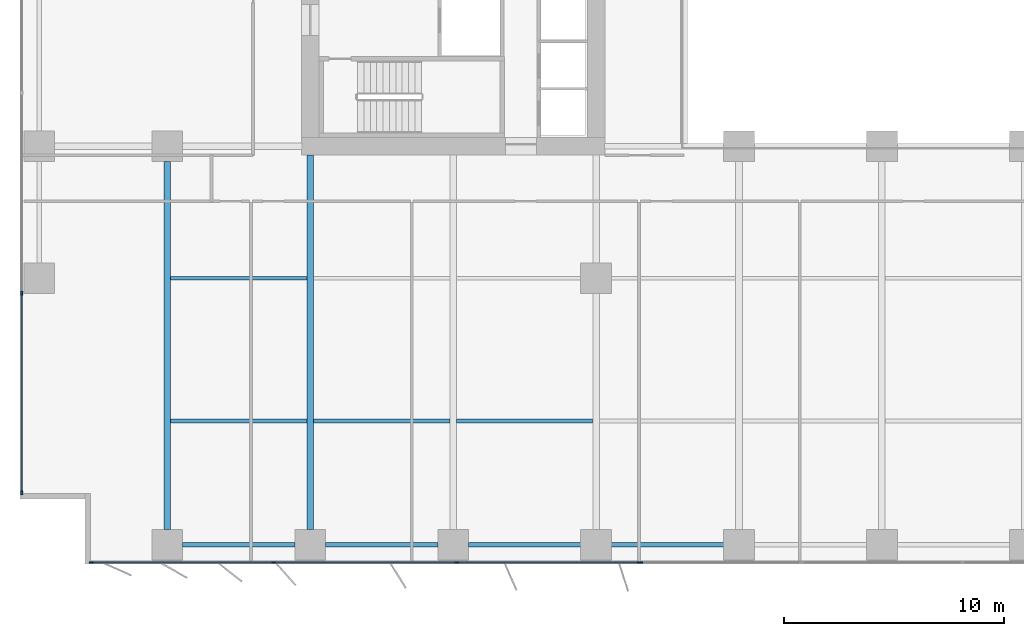
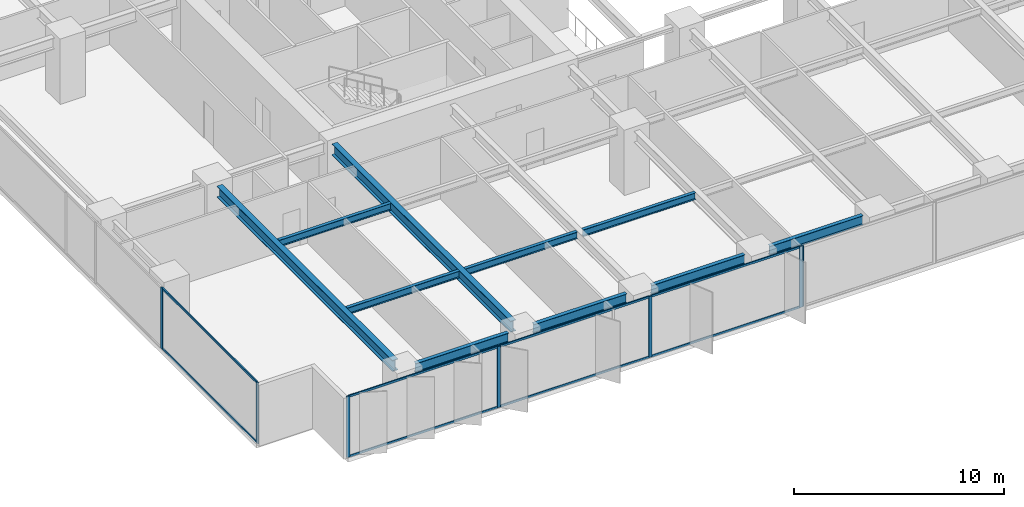
# One storey, part 2 of 20: 15 members, 10 beams, 3 elements without a shape of their own.
"""IFC4 building model written with IfcOpenShell, lengths in metres."""

from ifc_helpers import new_model, si_unit, direction, frame, origin, origin_2d, place, context, subcontext, project, spatial, rectangle, i_section, extrude, material, layer, layer_set, material_profile, profile_set, type_object, element, aggregate, save


model = new_model("IFC4")

# Units and contexts
model_context = context("Model", 3, precision=1e-05, world=origin(), true_north=direction((0.0, 1.0)))
body_context = subcontext(model_context, "Body", "Model", "MODEL_VIEW")
ifc_project = project(units=[si_unit("LENGTHUNIT", "METRE"), si_unit("AREAUNIT", "SQUARE_METRE"), si_unit("VOLUMEUNIT", "CUBIC_METRE"), si_unit("PLANEANGLEUNIT", "RADIAN"), si_unit("MASSUNIT", "GRAM", prefix="KILO")], contexts=[model_context])

# Site, building, storey
site_placement = place(None, origin())
site = spatial("IfcSite", under=ifc_project, at=site_placement, CompositionType="ELEMENT")
building_placement = place(site_placement, origin())
building = spatial("IfcBuilding", under=site, at=building_placement, Name="Putna Gate Headquarters", CompositionType="ELEMENT")
storey_placement = place(building_placement, frame((0.0, 0.0, 62.0)))
storey = spatial("IfcBuildingStorey", under=building, at=storey_placement, Name="L14", CompositionType="ELEMENT", Elevation=62.0)

# Beams
ifc_material_1 = material(Name="Steel S355J2", Category="steel")
ifc_material_profile_1 = material_profile(ifc_material_1, i_section(OverallWidth=0.300048828125, OverallDepth=0.64990234375, WebThickness=0.01611328125, FlangeThickness=0.031005859375, at=origin_2d()), Name="Steel S355J2")
ifc_profile_set_1 = profile_set([ifc_material_profile_1], Name="Steel S355J2")
beam_type_1 = type_object("IfcBeamType", Name="BM-GIRD-Z1-HEB650", PredefinedType="USERDEFINED", material=ifc_profile_set_1)
beam_1_placement = place(storey_placement, frame((6.5, 1.568115234375, 3.22509765625), z_axis=(0.0, 1.0, 0.0), x_axis=(-1.0, 0.0, 0.0)))
element("IfcBeam", 1, at=beam_1_placement, inside=storey, type_object=beam_type_1, Name="L14 South Primary Girder X6", ObjectType="GIRDER", PredefinedType="USERDEFINED", context=body_context, shape_type="SweptSolid", body=[
    extrude(i_section(OverallWidth=0.300048828125, OverallDepth=0.64990234375, WebThickness=0.01611328125, FlangeThickness=0.031005859375, at=origin_2d()), origin(), (0.0, 0.0, 1.0), 16.743896484375),
])
beam_2_placement = place(storey_placement, frame((13.0, 1.568115234375, 3.22509765625), z_axis=(0.0, 1.0, 0.0), x_axis=(-1.0, 0.0, 0.0)))
element("IfcBeam", 2, at=beam_2_placement, inside=storey, type_object=beam_type_1, Name="L14 South Primary Girder X13", ObjectType="GIRDER", PredefinedType="USERDEFINED", context=body_context, shape_type="SweptSolid", body=[
    extrude(i_section(OverallWidth=0.300048828125, OverallDepth=0.64990234375, WebThickness=0.01611328125, FlangeThickness=0.031005859375, at=origin_2d()), origin(), (0.0, 0.0, 1.0), 17.046875),
])
ifc_material_profile_2 = material_profile(ifc_material_1, i_section(OverallWidth=0.179931640625, OverallDepth=0.39990234375, WebThickness=0.008544921875, FlangeThickness=0.013427734375, at=origin_2d()), Name="Steel S355J2")
ifc_profile_set_2 = profile_set([ifc_material_profile_2], Name="Steel S355J2")
beam_type_2 = type_object("IfcBeamType", Name="BM-SEC-Z1-IPE400", PredefinedType="BEAM", material=ifc_profile_set_2)
for number, where, z_axis, x_axis, name in (
    (3, (6.654052734375, 6.5, 3.35009765625), (1.0, 0.0, 0.0), (0.0, 1.0, 0.0), "L14 South Secondary Beam 1"),
    (4, (6.654052734375, 13.0, 3.35009765625), (1.0, 0.0, 0.0), (0.0, 1.0, 0.0), "L14 South Secondary Beam 1"),
    (5, (13.154052734375, 6.5, 3.35009765625), (1.0, 0.0, 0.0), (0.0, 1.0, 0.0), "L14 South Secondary Beam 2"),
    (6, (19.654052734375, 6.5, 3.35009765625), (1.0, 0.0, 0.0), (0.0, 1.0, 0.0), "L14 South Secondary Beam 3"),
):
    element("IfcBeam", number, at=place(storey_placement, frame(where, z_axis=z_axis, x_axis=x_axis)), inside=storey, type_object=beam_type_2, Name=name, PredefinedType="BEAM", context=body_context, shape_type="SweptSolid", body=[
        extrude(i_section(OverallWidth=0.179931640625, OverallDepth=0.39990234375, WebThickness=0.008544921875, FlangeThickness=0.013427734375, at=origin_2d()), origin(), (0.0, 0.0, 1.0), 6.19189453125),
    ])
ifc_material_profile_3 = material_profile(ifc_material_1, i_section(OverallWidth=0.2099609375, OverallDepth=0.550048828125, WebThickness=0.010986328125, FlangeThickness=0.01708984375, at=origin_2d()), Name="Steel S355J2")
ifc_profile_set_3 = profile_set([ifc_material_profile_3], Name="Steel S355J2")
beam_type_3 = type_object("IfcBeamType", Name="BM-SPAN-Z1-IPE550", PredefinedType="SPANDREL", material=ifc_profile_set_3)
for number, where, z_axis, x_axis, name in (
    (7, (7.18798828125, 0.8798828125, 3.27490234375), (1.0, 0.0, 0.0), (0.0, 1.0, 0.0), "L14 S Perimeter Spandrel 1"),
    (8, (13.68798828125, 0.8798828125, 3.27490234375), (1.0, 0.0, 0.0), (0.0, 1.0, 0.0), "L14 S Perimeter Spandrel 2"),
    (9, (20.18798828125, 0.8798828125, 3.27490234375), (1.0, 0.0, 0.0), (0.0, 1.0, 0.0), "L14 S Perimeter Spandrel 3"),
    (10, (26.68798828125, 0.8798828125, 3.27490234375), (1.0, 0.0, 0.0), (0.0, 1.0, 0.0), "L14 S Perimeter Spandrel 4"),
):
    element("IfcBeam", number, at=place(storey_placement, frame(where, z_axis=z_axis, x_axis=x_axis)), inside=storey, type_object=beam_type_3, Name=name, PredefinedType="SPANDREL", context=body_context, shape_type="SweptSolid", body=[
        extrude(i_section(OverallWidth=0.2099609375, OverallDepth=0.550048828125, WebThickness=0.010986328125, FlangeThickness=0.01708984375, at=origin_2d()), origin(), (0.0, 0.0, 1.0), 5.1240234375),
    ])

# Curtain wall, members
ifc_material_2 = material(Name="Anodised bronze aluminium curtain wall", Category="aluminium")
ifc_layer_1 = layer(ifc_material_2, 0.179931640625)
ifc_layer_set_1 = layer_set([ifc_layer_1], Name="Anodised bronze aluminium curtain wall")
curtain_wall_type_1 = type_object("IfcCurtainWallType", Name="CW-SYS-Z1", PredefinedType="USERDEFINED", material=ifc_layer_set_1)
curtain_wall_1_placement = place(storey_placement, origin())
curtain_wall_1 = element("IfcCurtainWall", 11, at=curtain_wall_1_placement, inside=storey, type_object=curtain_wall_type_1, Name="L14 South West Curtain Wall", ObjectType="STICK CURTAIN WALL", PredefinedType="USERDEFINED")
ifc_material_3 = material(Name="Anodised bronze aluminium EN AW-6060", Category="aluminium")
ifc_material_profile_4 = material_profile(ifc_material_3, rectangle(XDim=0.070068359375, YDim=0.179931640625, at=origin_2d()), Name="Anodised bronze aluminium EN AW-6060")
ifc_profile_set_4 = profile_set([ifc_material_profile_4], Name="Anodised bronze aluminium EN AW-6060")
member_type_1 = type_object("IfcMemberType", Name="MULL-CWM-1", PredefinedType="MULLION", material=ifc_profile_set_4)
member_1_placement = place(storey_placement, frame((3.034912109375, 0.080078125, 0.0), z_axis=(0.0, 0.0, 1.0), x_axis=(0.0, 1.0, 0.0)))
member_1 = element("IfcMember", 12, at=member_1_placement, type_object=member_type_1, Name="CWS-1 mullion 1", PredefinedType="MULLION", context=body_context, shape_type="SweptSolid", body=[
    extrude(rectangle(XDim=0.070068359375, YDim=0.179931640625, at=origin_2d()), origin(), (0.0, 0.0, 1.0), 3.550048828125),
])
member_2_placement = place(storey_placement, frame((11.333251953125, 0.080078125, 0.0), z_axis=(0.0, 0.0, 1.0), x_axis=(0.0, 1.0, 0.0)))
member_2 = element("IfcMember", 13, at=member_2_placement, type_object=member_type_1, Name="CWS-1 mullion 2", PredefinedType="MULLION", context=body_context, shape_type="SweptSolid", body=[
    extrude(rectangle(XDim=0.070068359375, YDim=0.179931640625, at=origin_2d()), origin(), (0.0, 0.0, 1.0), 3.550048828125),
])
member_3_placement = place(storey_placement, frame((19.666748046875, 0.080078125, 0.0), z_axis=(0.0, 0.0, 1.0), x_axis=(0.0, 1.0, 0.0)))
member_3 = element("IfcMember", 14, at=member_3_placement, type_object=member_type_1, Name="CWS-1 mullion 3", PredefinedType="MULLION", context=body_context, shape_type="SweptSolid", body=[
    extrude(rectangle(XDim=0.070068359375, YDim=0.179931640625, at=origin_2d()), origin(), (0.0, 0.0, 1.0), 3.550048828125),
])
member_4_placement = place(storey_placement, frame((27.965087890625, 0.080078125, 0.0), z_axis=(0.0, 0.0, 1.0), x_axis=(0.0, 1.0, 0.0)))
member_4 = element("IfcMember", 15, at=member_4_placement, type_object=member_type_1, Name="CWS-1 mullion 4", PredefinedType="MULLION", context=body_context, shape_type="SweptSolid", body=[
    extrude(rectangle(XDim=0.070068359375, YDim=0.179931640625, at=origin_2d()), origin(), (0.0, 0.0, 1.0), 3.550048828125),
])

curtain_wall_2_placement = place(storey_placement, origin())
curtain_wall_2 = element("IfcCurtainWall", 16, at=curtain_wall_2_placement, inside=storey, type_object=curtain_wall_type_1, Name="L14 West Curtain Wall", ObjectType="STICK CURTAIN WALL", PredefinedType="USERDEFINED")
member_5_placement = place(storey_placement, frame((-0.1201171875, 3.235107421875, 0.0), z_axis=(0.0, 0.0, 1.0), x_axis=(-1.0, 0.0, 0.0)))
member_5 = element("IfcMember", 17, at=member_5_placement, type_object=member_type_1, Name="CWS-1 mullion 1", PredefinedType="MULLION", context=body_context, shape_type="SweptSolid", body=[
    extrude(rectangle(XDim=0.070068359375, YDim=0.179931640625, at=origin_2d()), origin(), (0.0, 0.0, 1.0), 3.550048828125),
])
member_6_placement = place(storey_placement, frame((-0.1201171875, 12.320068359375, 0.0), z_axis=(0.0, 0.0, 1.0), x_axis=(-1.0, 0.0, 0.0)))
member_6 = element("IfcMember", 18, at=member_6_placement, type_object=member_type_1, Name="CWS-1 mullion 2", PredefinedType="MULLION", context=body_context, shape_type="SweptSolid", body=[
    extrude(rectangle(XDim=0.070068359375, YDim=0.179931640625, at=origin_2d()), origin(), (0.0, 0.0, 1.0), 3.550048828125),
])

# Curtain wall, member
ifc_layer_2 = layer(ifc_material_2, 0.179931640625)
ifc_layer_set_2 = layer_set([ifc_layer_2], Name="Anodised bronze aluminium curtain wall")
curtain_wall_type_2 = type_object("IfcCurtainWallType", Name="CW-SYS-ATR", PredefinedType="USERDEFINED", material=ifc_layer_set_2)
curtain_wall_3_placement = place(storey_placement, origin())
curtain_wall_3 = element("IfcCurtainWall", 19, at=curtain_wall_3_placement, inside=storey, type_object=curtain_wall_type_2, Name="L14 South Atrium Clear Glazing", ObjectType="ATRIUM GLAZING", PredefinedType="USERDEFINED")
ifc_material_profile_5 = material_profile(ifc_material_3, rectangle(XDim=0.070068359375, YDim=0.179931640625, at=origin_2d()), Name="Anodised bronze aluminium EN AW-6060")
ifc_profile_set_5 = profile_set([ifc_material_profile_5], Name="Anodised bronze aluminium EN AW-6060")
member_type_2 = type_object("IfcMemberType", Name="MULL-CWM-AT", PredefinedType="MULLION", material=ifc_profile_set_5)
member_7_placement = place(storey_placement, frame((28.034912109375, 0.080078125, 0.0), z_axis=(0.0, 0.0, 1.0), x_axis=(0.0, 1.0, 0.0)))
member_7 = element("IfcMember", 20, at=member_7_placement, type_object=member_type_2, Name="CWS-AT mullion 1", PredefinedType="MULLION", context=body_context, shape_type="SweptSolid", body=[
    extrude(rectangle(XDim=0.070068359375, YDim=0.179931640625, at=origin_2d()), origin(), (0.0, 0.0, 1.0), 3.550048828125),
])
aggregate(curtain_wall_3, [member_7])

# Member
ifc_material_profile_6 = material_profile(ifc_material_3, rectangle(XDim=0.06494140625, YDim=0.1201171875, at=origin_2d()), Name="Anodised bronze aluminium EN AW-6060")
ifc_profile_set_6 = profile_set([ifc_material_profile_6], Name="Anodised bronze aluminium EN AW-6060")
member_type_3 = type_object("IfcMemberType", Name="TRAN-CWT-1", PredefinedType="USERDEFINED", material=ifc_profile_set_6)
member_8_placement = place(storey_placement, frame((3.070068359375, 0.080078125, 0.032470703125), z_axis=(1.0, 0.0, 0.0), x_axis=(0.0, 1.0, 0.0)))
member_8 = element("IfcMember", 21, at=member_8_placement, type_object=member_type_3, Name="CWS-1 transom 1.1", ObjectType="TRANSOM", PredefinedType="USERDEFINED", context=body_context, shape_type="SweptSolid", body=[
    extrude(rectangle(XDim=0.06494140625, YDim=0.1201171875, at=origin_2d()), origin(), (0.0, 0.0, 1.0), 8.228271484375),
])

member_9_placement = place(storey_placement, frame((3.070068359375, 0.080078125, 3.517578125), z_axis=(1.0, 0.0, 0.0), x_axis=(0.0, 1.0, 0.0)))
member_9 = element("IfcMember", 22, at=member_9_placement, type_object=member_type_3, Name="CWS-1 transom 1.2", ObjectType="TRANSOM", PredefinedType="USERDEFINED", context=body_context, shape_type="SweptSolid", body=[
    extrude(rectangle(XDim=0.06494140625, YDim=0.1201171875, at=origin_2d()), origin(), (0.0, 0.0, 1.0), 8.228271484375),
])

member_10_placement = place(storey_placement, frame((11.368408203125, 0.080078125, 0.032470703125), z_axis=(1.0, 0.0, 0.0), x_axis=(0.0, 1.0, 0.0)))
member_10 = element("IfcMember", 23, at=member_10_placement, type_object=member_type_3, Name="CWS-1 transom 2.1", ObjectType="TRANSOM", PredefinedType="USERDEFINED", context=body_context, shape_type="SweptSolid", body=[
    extrude(rectangle(XDim=0.06494140625, YDim=0.1201171875, at=origin_2d()), origin(), (0.0, 0.0, 1.0), 8.26318359375),
])

member_11_placement = place(storey_placement, frame((11.368408203125, 0.080078125, 3.517578125), z_axis=(1.0, 0.0, 0.0), x_axis=(0.0, 1.0, 0.0)))
member_11 = element("IfcMember", 24, at=member_11_placement, type_object=member_type_3, Name="CWS-1 transom 2.2", ObjectType="TRANSOM", PredefinedType="USERDEFINED", context=body_context, shape_type="SweptSolid", body=[
    extrude(rectangle(XDim=0.06494140625, YDim=0.1201171875, at=origin_2d()), origin(), (0.0, 0.0, 1.0), 8.26318359375),
])

member_12_placement = place(storey_placement, frame((19.70166015625, 0.080078125, 0.032470703125), z_axis=(1.0, 0.0, 0.0), x_axis=(0.0, 1.0, 0.0)))
member_12 = element("IfcMember", 25, at=member_12_placement, type_object=member_type_3, Name="CWS-1 transom 3.1", ObjectType="TRANSOM", PredefinedType="USERDEFINED", context=body_context, shape_type="SweptSolid", body=[
    extrude(rectangle(XDim=0.06494140625, YDim=0.1201171875, at=origin_2d()), origin(), (0.0, 0.0, 1.0), 8.228271484375),
])

member_13_placement = place(storey_placement, frame((19.70166015625, 0.080078125, 3.517578125), z_axis=(1.0, 0.0, 0.0), x_axis=(0.0, 1.0, 0.0)))
member_13 = element("IfcMember", 26, at=member_13_placement, type_object=member_type_3, Name="CWS-1 transom 3.2", ObjectType="TRANSOM", PredefinedType="USERDEFINED", context=body_context, shape_type="SweptSolid", body=[
    extrude(rectangle(XDim=0.06494140625, YDim=0.1201171875, at=origin_2d()), origin(), (0.0, 0.0, 1.0), 8.228271484375),
])

aggregate(curtain_wall_1, [member_1, member_2, member_3, member_4, member_8, member_9, member_10, member_11, member_12, member_13])

member_14_placement = place(storey_placement, frame((-0.1201171875, 3.27001953125, 0.032470703125), z_axis=(0.0, 1.0, 0.0), x_axis=(-1.0, 0.0, 0.0)))
member_14 = element("IfcMember", 27, at=member_14_placement, type_object=member_type_3, Name="CWS-1 transom 1.1", ObjectType="TRANSOM", PredefinedType="USERDEFINED", context=body_context, shape_type="SweptSolid", body=[
    extrude(rectangle(XDim=0.06494140625, YDim=0.1201171875, at=origin_2d()), origin(), (0.0, 0.0, 1.0), 9.014892578125),
])

member_15_placement = place(storey_placement, frame((-0.1201171875, 3.27001953125, 3.517578125), z_axis=(0.0, 1.0, 0.0), x_axis=(-1.0, 0.0, 0.0)))
member_15 = element("IfcMember", 28, at=member_15_placement, type_object=member_type_3, Name="CWS-1 transom 1.2", ObjectType="TRANSOM", PredefinedType="USERDEFINED", context=body_context, shape_type="SweptSolid", body=[
    extrude(rectangle(XDim=0.06494140625, YDim=0.1201171875, at=origin_2d()), origin(), (0.0, 0.0, 1.0), 9.014892578125),
])

aggregate(curtain_wall_2, [member_5, member_6, member_14, member_15])

save(model, "model.ifc")
